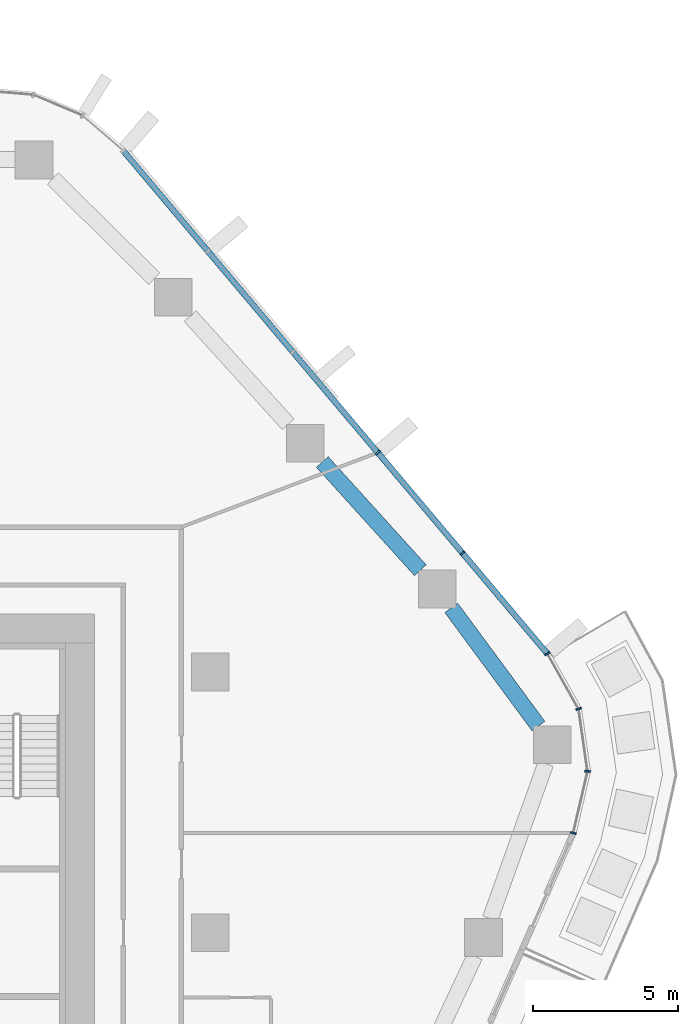
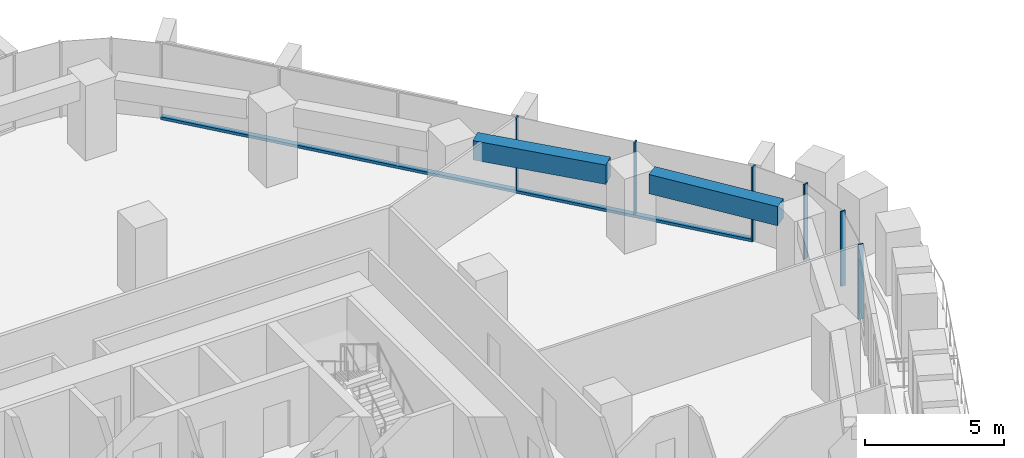
# One storey, part 8 of 23: 7 members, 2 beams, 2 elements without a shape of their own.
"""IFC4 building model written with IfcOpenShell, lengths in metres."""

from ifc_helpers import new_model, si_unit, direction, frame, origin, origin_2d, place, context, subcontext, project, spatial, rectangle, extrude, material, layer, layer_set, material_profile, profile_set, type_object, element, aggregate, save


model = new_model("IFC4")

# Units and contexts
model_context = context("Model", 3, precision=1e-05, world=origin(), true_north=direction((0.0, 1.0)))
body_context = subcontext(model_context, "Body", "Model", "MODEL_VIEW")
ifc_project = project(units=[si_unit("LENGTHUNIT", "METRE"), si_unit("AREAUNIT", "SQUARE_METRE"), si_unit("VOLUMEUNIT", "CUBIC_METRE"), si_unit("PLANEANGLEUNIT", "RADIAN"), si_unit("MASSUNIT", "GRAM", prefix="KILO")], contexts=[model_context])

# Site, building, storey
site_placement = place(None, origin())
site = spatial("IfcSite", under=ifc_project, at=site_placement, CompositionType="ELEMENT")
building_placement = place(site_placement, origin())
building = spatial("IfcBuilding", under=site, at=building_placement, Name="Dongbaek Canopy Tower", CompositionType="ELEMENT")
storey_placement = place(building_placement, frame((0.0, 0.0, 135.89990234375)))
storey = spatial("IfcBuildingStorey", under=building, at=storey_placement, Name="L30", CompositionType="ELEMENT", Elevation=135.89990234375)

# Curtain wall, members
ifc_material_1 = material(Name="Aluminium 6063-T6 pale anodised", Category="aluminium")
ifc_layer = layer(ifc_material_1, 0.199951171875)
ifc_layer_set = layer_set([ifc_layer], Name="CW-1 unitised tower curtain wall")
curtain_wall_type = type_object("IfcCurtainWallType", Name="CW-1 unitised tower curtain wall", PredefinedType="NOTDEFINED", material=ifc_layer_set)
curtain_wall_1_placement = place(storey_placement, origin())
curtain_wall_1 = element("IfcCurtainWall", 1, at=curtain_wall_1_placement, inside=storey, type_object=curtain_wall_type, Name="CW-1 curtain wall K0.1", PredefinedType="NOTDEFINED")
ifc_material_2 = material(Name="Aluminium 6063-T6 pale anodised", Category="aluminium")
ifc_material_profile_1 = material_profile(ifc_material_2, rectangle(XDim=0.199951171875, YDim=0.06005859375, at=origin_2d()), Name="CW-1 mullion 60 x 200")
ifc_profile_set_1 = profile_set([ifc_material_profile_1], Name="Aluminium 6063-T6 pale anodised")
member_type_1 = type_object("IfcMemberType", Name="CW-1 mullion 60 x 200", PredefinedType="MULLION", material=ifc_profile_set_1)
member_1_placement = place(storey_placement, frame((30.533203125, 3.4384765625, 0.0), z_axis=(0.0, 0.0, 1.0), x_axis=(0.974088872449, -0.226165577778, 0.0)))
member_1 = element("IfcMember", 2, at=member_1_placement, type_object=member_type_1, Name="CW-1 mullion K0.1.1", PredefinedType="MULLION", context=body_context, shape_type="SweptSolid", body=[
    extrude(rectangle(XDim=0.199951171875, YDim=0.06005859375, at=origin_2d()), origin(), (0.0, 0.0, 1.0), 3.300048828125),
])
member_2_placement = place(storey_placement, frame((31.028076171875, 5.56982421875, 0.0), z_axis=(0.0, 0.0, 1.0), x_axis=(0.99910182485, -0.042373854938, 0.0)))
member_2 = element("IfcMember", 3, at=member_2_placement, type_object=member_type_1, Name="CW-1 mullion K0.1.2", PredefinedType="MULLION", context=body_context, shape_type="SweptSolid", body=[
    extrude(rectangle(XDim=0.199951171875, YDim=0.06005859375, at=origin_2d()), origin(), (0.0, 0.0, 1.0), 3.300048828125),
])
member_3_placement = place(storey_placement, frame((30.716796875, 7.726318359375, 0.0), z_axis=(0.0, 0.0, 1.0), x_axis=(0.946327371604, 0.323209693161, 0.0)))
member_3 = element("IfcMember", 4, at=member_3_placement, type_object=member_type_1, Name="CW-1 mullion K0.1.3", PredefinedType="MULLION", context=body_context, shape_type="SweptSolid", body=[
    extrude(rectangle(XDim=0.199951171875, YDim=0.06005859375, at=origin_2d()), origin(), (0.0, 0.0, 1.0), 3.300048828125),
])
member_4_placement = place(storey_placement, frame((29.639404296875, 9.630615234375, 0.0), z_axis=(0.0, 0.0, 1.0), x_axis=(0.870355673405, 0.492423599933, 0.0)))
member_4 = element("IfcMember", 5, at=member_4_placement, type_object=member_type_1, Name="CW-1 mullion K0.1.4", PredefinedType="MULLION", context=body_context, shape_type="SweptSolid", body=[
    extrude(rectangle(XDim=0.199951171875, YDim=0.06005859375, at=origin_2d()), origin(), (0.0, 0.0, 1.0), 3.300048828125),
])
aggregate(curtain_wall_1, [member_1, member_2, member_3, member_4])

curtain_wall_2_placement = place(storey_placement, origin())
curtain_wall_2 = element("IfcCurtainWall", 6, at=curtain_wall_2_placement, inside=storey, type_object=curtain_wall_type, Name="CW-1 curtain wall F0.1", PredefinedType="NOTDEFINED")
member_5_placement = place(storey_placement, frame((26.71435546875, 13.098876953125, 0.1201171875), z_axis=(0.0, 0.0, 1.0), x_axis=(0.764439348936, 0.644695650519, 0.0)))
member_5 = element("IfcMember", 7, at=member_5_placement, type_object=member_type_1, Name="CW-1 mullion F0.1.2", PredefinedType="MULLION", context=body_context, shape_type="SweptSolid", body=[
    extrude(rectangle(XDim=0.199951171875, YDim=0.06005859375, at=origin_2d()), origin(), (0.0, 0.0, 1.0), 3.179931640625),
])
member_6_placement = place(storey_placement, frame((23.783203125, 16.574462890625, 0.1201171875), z_axis=(0.0, 0.0, 1.0), x_axis=(0.764439348936, 0.644695650519, 0.0)))
member_6 = element("IfcMember", 8, at=member_6_placement, type_object=member_type_1, Name="CW-1 mullion F0.1.3", PredefinedType="MULLION", context=body_context, shape_type="SweptSolid", body=[
    extrude(rectangle(XDim=0.199951171875, YDim=0.06005859375, at=origin_2d()), origin(), (0.0, 0.0, 1.0), 3.179931640625),
])
ifc_material_3 = material(Name="Aluminium 6063-T6 pale anodised", Category="aluminium")
ifc_material_profile_2 = material_profile(ifc_material_3, rectangle(XDim=0.199951171875, YDim=0.1201171875, at=origin_2d()), Name="CW-1 transom 120 x 200")
ifc_profile_set_2 = profile_set([ifc_material_profile_2], Name="Aluminium 6063-T6 pale anodised")
member_type_2 = type_object("IfcMemberType", Name="CW-1 transom 120 x 200", PredefinedType="USERDEFINED", material=ifc_profile_set_2)
member_7_placement = place(storey_placement, frame((29.639404296875, 9.630615234375, 0.06005859375), z_axis=(-0.644695913599, 0.764439127066, 0.0), x_axis=(-0.764439127066, -0.644695913599, 0.0)))
member_7 = element("IfcMember", 9, at=member_7_placement, type_object=member_type_2, Name="CW-1 transom F0.1.1", ObjectType="TRANSOM", PredefinedType="USERDEFINED", context=body_context, shape_type="SweptSolid", body=[
    extrude(rectangle(XDim=0.199951171875, YDim=0.1201171875, at=origin_2d()), origin(), (0.0, 0.0, 1.0), 22.715087890625),
])
aggregate(curtain_wall_2, [member_5, member_6, member_7])

# Beams
ifc_material_4 = material(Name="Concrete C80", Category="concrete")
ifc_material_profile_3 = material_profile(ifc_material_4, rectangle(XDim=0.550048828125, YDim=0.85009765625, at=origin_2d()), Name="RC EDGE BEAM 550x850 C80")
ifc_profile_set_3 = profile_set([ifc_material_profile_3], Name="Concrete C80")
beam_type = type_object("IfcBeamType", Name="RC EDGE BEAM 550x850 C80", PredefinedType="BEAM", material=ifc_profile_set_3)
beam_1_placement = place(storey_placement, frame((21.86865234375, 16.248046875, 2.875), z_axis=(0.671270897358, -0.74121210349, 0.0), x_axis=(0.74121210349, 0.671270897358, 0.0)))
element("IfcBeam", 10, at=beam_1_placement, inside=storey, type_object=beam_type, Name="EDGEBEAM:L30:19", PredefinedType="BEAM", context=body_context, shape_type="SweptSolid", body=[
    extrude(rectangle(XDim=0.550048828125, YDim=0.85009765625, at=origin_2d()), origin(), (0.0, 0.0, 1.0), 5.04052734375),
])
beam_2_placement = place(storey_placement, frame((26.320556640625, 11.2119140625, 2.875), z_axis=(0.593780308667, -0.804627208736, 0.0), x_axis=(0.804627208736, 0.593780308667, 0.0)))
element("IfcBeam", 11, at=beam_2_placement, inside=storey, type_object=beam_type, Name="EDGEBEAM:L30:20", PredefinedType="BEAM", context=body_context, shape_type="SweptSolid", body=[
    extrude(rectangle(XDim=0.550048828125, YDim=0.85009765625, at=origin_2d()), origin(), (0.0, 0.0, 1.0), 5.070556640625),
])

save(model, "model.ifc")
